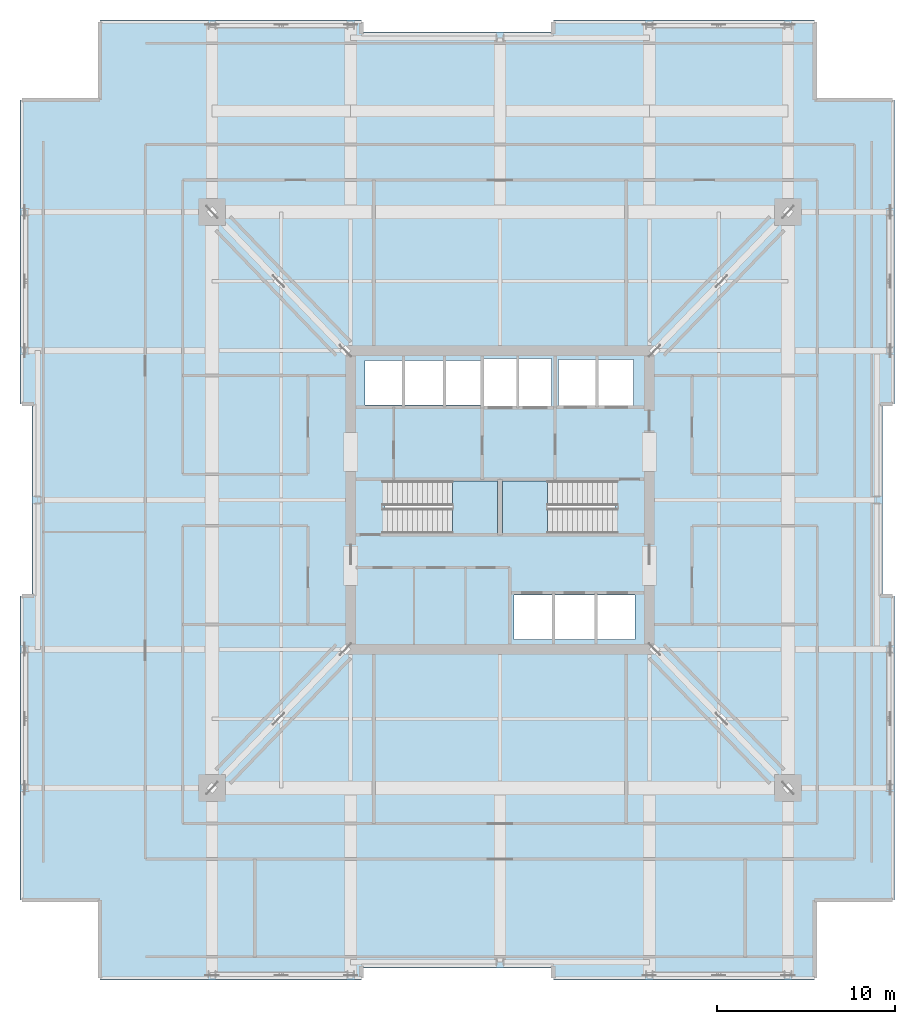
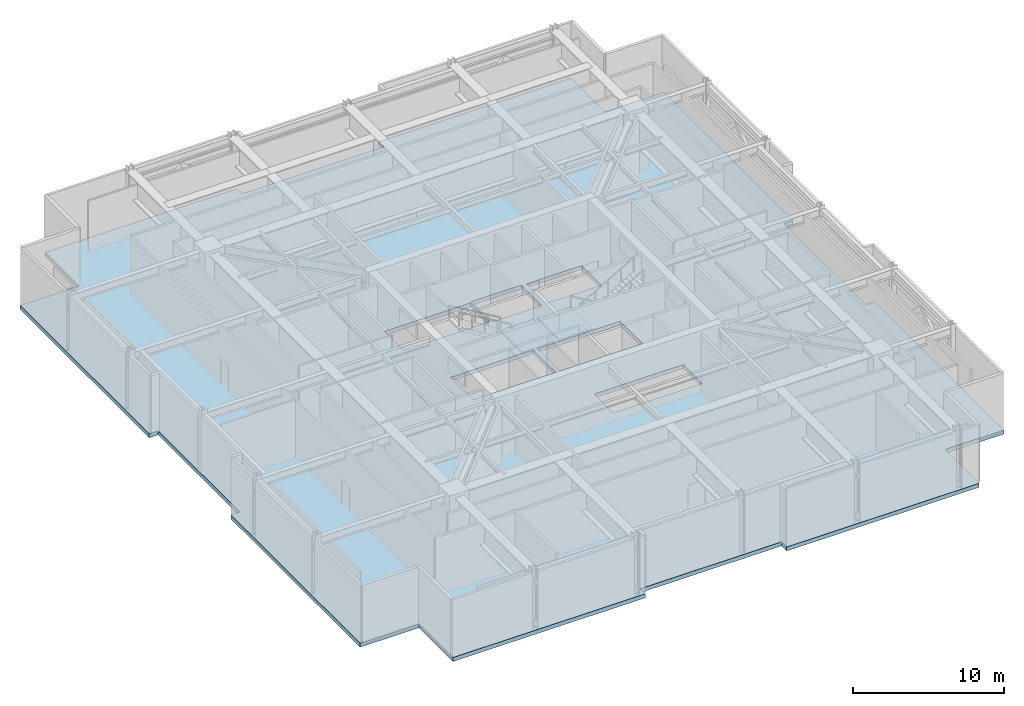
# One storey, part 4 of 13: 3 slabs, 2 elements without a shape of their own.
"""IFC4 building model written with IfcOpenShell, lengths in metres."""

from ifc_helpers import new_model, si_unit, direction, frame, origin, place, context, subcontext, project, spatial, polyline, outline, extrude, material, layer, layer_set, type_object, element, aggregate, save


model = new_model("IFC4")

# Units and contexts
model_context = context("Model", 3, precision=1e-05, world=origin(), true_north=direction((0.0, 1.0)))
body_context = subcontext(model_context, "Body", "Model", "MODEL_VIEW")
ifc_project = project(units=[si_unit("LENGTHUNIT", "METRE"), si_unit("AREAUNIT", "SQUARE_METRE"), si_unit("VOLUMEUNIT", "CUBIC_METRE"), si_unit("PLANEANGLEUNIT", "RADIAN"), si_unit("MASSUNIT", "GRAM", prefix="KILO")], contexts=[model_context])

# Site, building, storey
site_placement = place(None, origin())
site = spatial("IfcSite", under=ifc_project, at=site_placement, CompositionType="ELEMENT")
building_placement = place(site_placement, origin())
building = spatial("IfcBuilding", under=site, at=building_placement, Name="Drelvath Grand Hotel", CompositionType="ELEMENT")
storey_placement = place(building_placement, frame((0.0, 0.0, 140.800048828125)))
storey = spatial("IfcBuildingStorey", under=building, at=storey_placement, Name="L36", CompositionType="ELEMENT", Elevation=140.800048828125)

# Slab
ifc_material_1 = material(Name="Concrete f'c 40 MPa", Category="concrete")
ifc_layer_1 = layer(ifc_material_1, 0.320068359375)
ifc_layer_set_1 = layer_set([ifc_layer_1], Name="Concrete f'c 40 MPa")
slab_type_1 = type_object("IfcSlabType", Name="Composite RC Floor Slab 320", PredefinedType="FLOOR", material=ifc_layer_set_1)
slab_1_placement = place(storey_placement, frame((0.0, 0.0, -0.320068359375)))
element("IfcSlab", 1, at=slab_1_placement, inside=storey, type_object=slab_type_1, Name="L36 Structural Floor Slab", PredefinedType="FLOOR", context=body_context, shape_type="SweptSolid", body=[
    extrude(outline(polyline([(-22.5, 0.0), (-7.800048828125, 0.0), (-7.800048828125, 0.679931640625), (3.0, 0.679931640625), (3.0, 0.0), (17.699951171875, 0.0), (17.699951171875, 4.5), (22.199951171875, 4.5), (22.199951171875, 21.60009765625), (21.52001953125, 21.60009765625), (21.52001953125, 32.39990234375), (22.199951171875, 32.39990234375), (22.199951171875, 49.5), (17.699951171875, 49.5), (17.699951171875, 54.0), (3.0, 54.0), (3.0, 53.320068359375), (-7.800048828125, 53.320068359375), (-7.800048828125, 54.0), (-22.5, 54.0), (-22.5, 49.5), (-27.0, 49.5), (-27.0, 32.39990234375), (-26.320068359375, 32.39990234375), (-26.320068359375, 21.60009765625), (-27.0, 21.60009765625), (-27.0, 4.5), (-22.5, 4.5), (-22.5, 0.0)]), holes=[polyline([(-6.47998046875, 25.1201171875), (-6.47998046875, 28.080078125), (-0.14990234375, 28.080078125), (-0.14990234375, 25.1201171875), (-6.47998046875, 25.1201171875)]), polyline([(0.14990234375, 25.1201171875), (0.14990234375, 28.080078125), (6.47998046875, 28.080078125), (6.47998046875, 25.1201171875), (0.14990234375, 25.1201171875)]), polyline([(0.800048828125, 19.14990234375), (0.800048828125, 21.64990234375), (7.60009765625, 21.64990234375), (7.60009765625, 19.14990234375), (0.800048828125, 19.14990234375)]), polyline([(-7.60009765625, 32.35009765625), (-7.60009765625, 34.85009765625), (-1.02001953125, 34.85009765625), (-1.02001953125, 32.35009765625), (-7.60009765625, 32.35009765625)]), polyline([(-0.89990234375, 32.25), (-0.89990234375, 34.949951171875), (2.89990234375, 34.949951171875), (2.89990234375, 32.25), (-0.89990234375, 32.25)]), polyline([(3.300048828125, 32.300048828125), (3.300048828125, 34.89990234375), (7.5, 34.89990234375), (7.5, 32.300048828125), (3.300048828125, 32.300048828125)])]), origin(), (0.0, 0.0, 1.0), 0.320068359375),
])

# Stair, slab
ifc_material_2 = material(Name="Concrete C40/50", Category="concrete")
stair_type = type_object("IfcStairType", Name="Dogleg Exit Stair W1400-R166.7", PredefinedType="HALF_TURN_STAIR", material=ifc_material_2)
stair_1_placement = place(storey_placement, origin())
stair_1 = element("IfcStair", 2, at=stair_1_placement, inside=storey, type_object=stair_type, Name="L36 Core Exit Stair ST-1", PredefinedType="HALF_TURN_STAIR")
ifc_layer_2 = layer(ifc_material_2, 0.199951171875)
ifc_layer_set_2 = layer_set([ifc_layer_2], Name="Concrete C40/50")
slab_type_2 = type_object("IfcSlabType", Name="Concrete Stair Landing Slab 200", PredefinedType="LANDING", material=ifc_layer_set_2)
slab_2_placement = place(storey_placement, frame((0.0, 0.0, 2.300048828125)))
slab_2 = element("IfcSlab", 3, at=slab_2_placement, type_object=slab_type_2, Name="ST-1 landing 1", PredefinedType="LANDING", context=body_context, shape_type="SweptSolid", body=[
    extrude(outline(polyline([(-2.679931640625, 25.1201171875), (-0.14990234375, 25.1201171875), (-0.14990234375, 28.080078125), (-2.679931640625, 28.080078125), (-2.679931640625, 25.1201171875)])), origin(), (0.0, 0.0, 1.0), 0.199951171875),
])
aggregate(stair_1, [slab_2])

stair_2_placement = place(storey_placement, origin())
stair_2 = element("IfcStair", 4, at=stair_2_placement, inside=storey, type_object=stair_type, Name="L36 Core Exit Stair ST-2", PredefinedType="HALF_TURN_STAIR")
slab_3_placement = place(storey_placement, frame((0.0, 0.0, 2.300048828125)))
slab_3 = element("IfcSlab", 5, at=slab_3_placement, type_object=slab_type_2, Name="ST-2 landing 1", PredefinedType="LANDING", context=body_context, shape_type="SweptSolid", body=[
    extrude(outline(polyline([(2.679931640625, 28.080078125), (0.14990234375, 28.080078125), (0.14990234375, 25.1201171875), (2.679931640625, 25.1201171875), (2.679931640625, 28.080078125)])), origin(), (0.0, 0.0, 1.0), 0.199951171875),
])
aggregate(stair_2, [slab_3])

save(model, "model.ifc")
